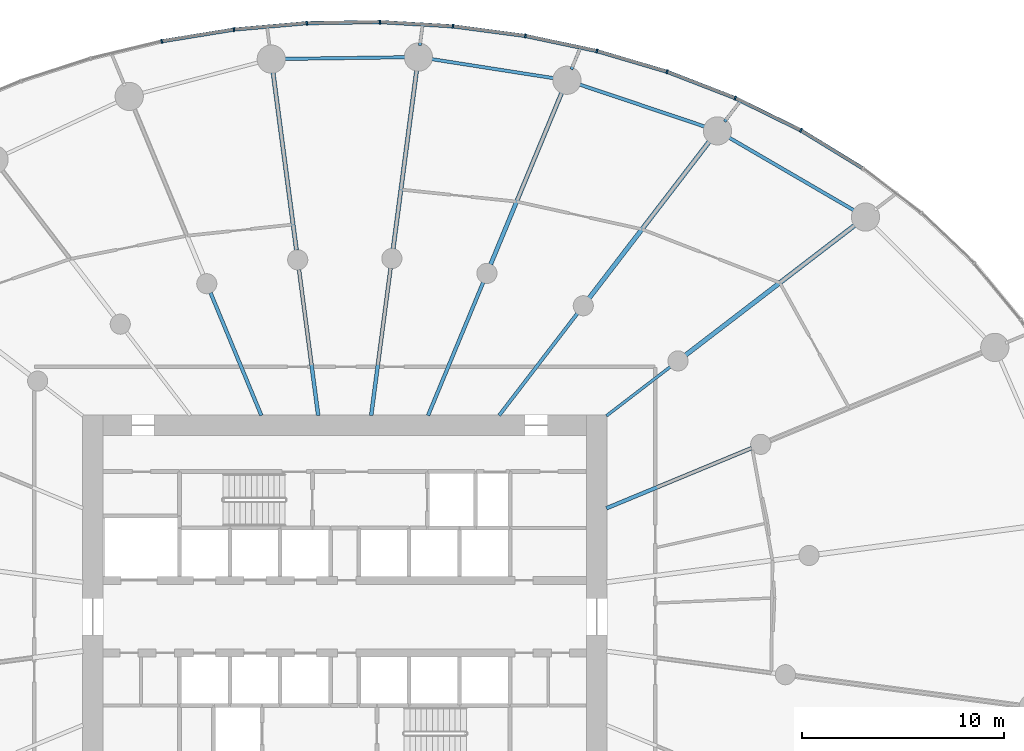
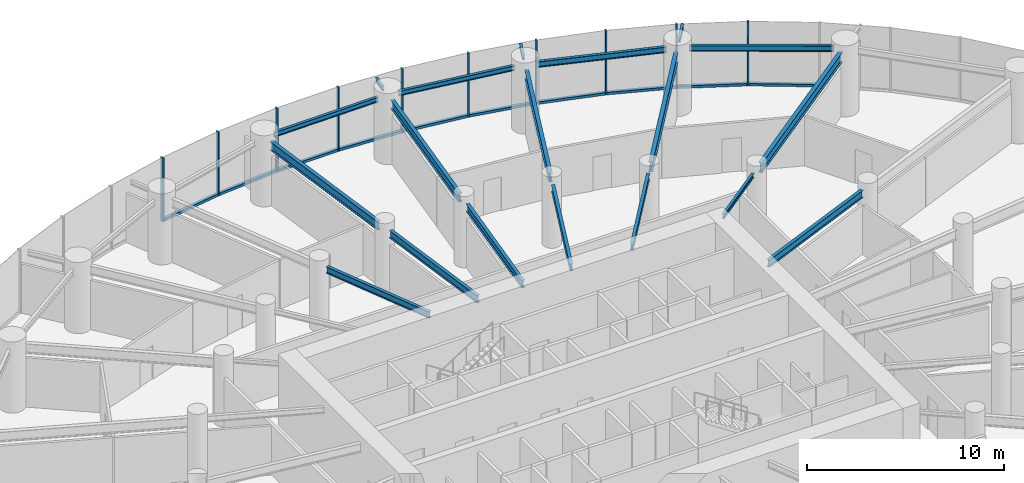
# One storey, part 7 of 19: 20 members, 19 beams, 2 elements without a shape of their own.
"""IFC4 building model written with IfcOpenShell, lengths in metres."""

import ifcopenshell
import ifcopenshell.guid

model = None  # the IFC model being written
_history = None  # IfcOwnerHistory: only IFC2X3 demands one
_inside = {}  # id of a spatial element -> (the spatial element, [elements in it])
_under = {}  # id of a project, library or spatial element -> (it, [spatial elements below it])
_declared = {}  # id of a project -> (the project, [libraries it declares])
_typed = {}  # id of a type object -> (the type object, [elements of that type])
_made_of = {}  # id of a material, layer set ... -> (it, [elements and type objects made of it])


def new_model(schema):
    """Start an empty IFC model of exactly this schema.

    Asked for "IFC4X3", IfcOpenShell would pick the latest addendum, in which some entities
    have other attributes; the version numbers below select the first issue.
    IFC2X3 requires an IfcOwnerHistory on every rooted entity: one is made here for all.
    """
    global model, _history
    if schema == "IFC4X3":
        model = ifcopenshell.file(schema_version=(4, 3, 0, 0))
    else:
        model = ifcopenshell.file(schema=schema)
    _inside.clear()
    _under.clear()
    _declared.clear()
    _typed.clear()
    _made_of.clear()
    _history = None
    if model.schema == "IFC2X3":
        org = make("IfcOrganization", Name="unknown")
        user = make(
            "IfcPersonAndOrganization",
            ThePerson=make("IfcPerson", FamilyName="unknown"),
            TheOrganization=org,
        )
        app = make(
            "IfcApplication",
            ApplicationDeveloper=org,
            Version="unknown",
            ApplicationFullName="unknown",
            ApplicationIdentifier="unknown",
        )
        _history = make(
            "IfcOwnerHistory",
            OwningUser=user,
            OwningApplication=app,
            ChangeAction="ADDED",
            CreationDate=0,
        )
    return model


def make(cls, **values):
    """One entity of the class cls with the attributes given. An attribute that is None is left unset."""
    return model.create_entity(
        cls, **{name: value for name, value in values.items() if value is not None}
    )


def rooted(cls, **values):
    """An entity with a GlobalId (a new one), such as an element, a storey or a relation."""
    return make(cls, GlobalId=ifcopenshell.guid.new(), OwnerHistory=_history, **values)


def si_unit(unit_type, name, prefix=None):
    """IfcSIUnit, for example si_unit("LENGTHUNIT", "METRE", prefix="MILLI")."""
    return make("IfcSIUnit", UnitType=unit_type, Prefix=prefix, Name=name)


def assignment(units):
    """IfcUnitAssignment: the units of a project."""
    return None if units is None else make("IfcUnitAssignment", Units=units)


def point(xyz):
    """IfcCartesianPoint."""
    return None if xyz is None else make("IfcCartesianPoint", Coordinates=xyz)


def direction(xyz):
    """IfcDirection."""
    return None if xyz is None else make("IfcDirection", DirectionRatios=xyz)


def frame(location, z_axis=None, x_axis=None):
    """IfcAxis2Placement3D, a coordinate frame: its origin and axes. An axis left out is left unset."""
    return make(
        "IfcAxis2Placement3D",
        Location=point(location),
        Axis=direction(z_axis),
        RefDirection=direction(x_axis),
    )


def frame_2d(location, x_axis=None):
    """IfcAxis2Placement2D, a coordinate frame in the plane: its origin and x axis."""
    return make(
        "IfcAxis2Placement2D", Location=point(location), RefDirection=direction(x_axis)
    )


def origin():
    """The frame at (0, 0, 0) with its axes left unset."""
    return frame((0.0, 0.0, 0.0))


def origin_2d():
    """The frame at (0, 0) in the plane with its x axis left unset."""
    return frame_2d((0.0, 0.0))


def place(relative_to, where):
    """IfcLocalPlacement: puts the frame where relative to a parent placement (None: the world)."""
    return make(
        "IfcLocalPlacement", PlacementRelTo=relative_to, RelativePlacement=where
    )


def context(
    kind, dimensions, precision=None, world=None, true_north=None, identifier=None
):
    """IfcGeometricRepresentationContext, for example the 3D "Model" context."""
    return make(
        "IfcGeometricRepresentationContext",
        ContextIdentifier=identifier,
        ContextType=kind,
        CoordinateSpaceDimension=dimensions,
        Precision=precision,
        WorldCoordinateSystem=world,
        TrueNorth=true_north,
    )


def subcontext(parent, identifier, kind, view, scale=None):
    """IfcGeometricRepresentationSubContext, for example "Body" below "Model"."""
    return make(
        "IfcGeometricRepresentationSubContext",
        ContextIdentifier=identifier,
        ContextType=kind,
        ParentContext=parent,
        TargetScale=scale,
        TargetView=view,
    )


def project(units=None, contexts=None):
    """IfcProject with its units and contexts."""
    return rooted(
        "IfcProject",
        Name="project",
        RepresentationContexts=contexts,
        UnitsInContext=assignment(units),
    )


def spatial(cls, under=None, at=None, **own):
    """A site, building, storey or space (cls), placed at a placement, below another one or the project."""
    s = rooted(cls, ObjectPlacement=at, **own)
    if under is not None:
        _under.setdefault(under.id(), (under, []))[1].append(s)
    return s


def profile(cls, at=None, kind="AREA", **sizes):
    """A parametric profile (cls). Its sizes go by their IFC names, for example OverallWidth=200.0."""
    return make(cls, ProfileType=kind, Position=at, **sizes)


def rectangle(**sizes):
    """IfcRectangleProfileDef."""
    return profile("IfcRectangleProfileDef", **sizes)


def i_section(**sizes):
    """IfcIShapeProfileDef."""
    return profile("IfcIShapeProfileDef", **sizes)


def extrude(swept, where, along, depth):
    """IfcExtrudedAreaSolid: the profile swept, set in the frame where, extruded along a direction by depth."""
    return make(
        "IfcExtrudedAreaSolid",
        SweptArea=swept,
        Position=where,
        ExtrudedDirection=direction(along),
        Depth=depth,
    )


def shape(context_of_items, identifier, shape_type, items):
    """IfcShapeRepresentation: the items that make up one representation, for example the "Body"."""
    return make(
        "IfcShapeRepresentation",
        ContextOfItems=context_of_items,
        RepresentationIdentifier=identifier,
        RepresentationType=shape_type,
        Items=items,
    )


def source(mapping_origin, context_of_items, identifier, shape_type, items):
    """IfcRepresentationMap: a shape defined once, which mapped items show again and again."""
    return make(
        "IfcRepresentationMap",
        MappingOrigin=mapping_origin,
        MappedRepresentation=shape(context_of_items, identifier, shape_type, items),
    )


def transform(
    local_origin,
    x_axis=None,
    y_axis=None,
    z_axis=None,
    scale=None,
    scale2=None,
    scale3=None,
    uniform=True,
):
    """IfcCartesianTransformationOperator3D, or its non-uniform kind. x_axis, y_axis, z_axis: its Axis1, 2, 3."""
    if uniform:
        return make(
            "IfcCartesianTransformationOperator3D",
            Axis1=direction(x_axis),
            Axis2=direction(y_axis),
            LocalOrigin=point(local_origin),
            Scale=scale,
            Axis3=direction(z_axis),
        )
    return make(
        "IfcCartesianTransformationOperator3DnonUniform",
        Axis1=direction(x_axis),
        Axis2=direction(y_axis),
        LocalOrigin=point(local_origin),
        Scale=scale,
        Axis3=direction(z_axis),
        Scale2=scale2,
        Scale3=scale3,
    )


def mapped(mapping_source, mapping_target):
    """IfcMappedItem: shows the shape of a source again, moved by a transform."""
    return make(
        "IfcMappedItem", MappingSource=mapping_source, MappingTarget=mapping_target
    )


def material(Name=None, Category=None):
    """IfcMaterial."""
    return make("IfcMaterial", Name=Name, Category=Category)


def layer(
    of_material, thickness, ventilated=None, Name=None, Category=None, Priority=None
):
    """IfcMaterialLayer: one layer of a wall or slab, of a material (None: an air gap)."""
    return make(
        "IfcMaterialLayer",
        Material=of_material,
        LayerThickness=thickness,
        IsVentilated=ventilated,
        Name=Name,
        Category=Category,
        Priority=Priority,
    )


def layer_set(layers, Name=None):
    """IfcMaterialLayerSet."""
    return make("IfcMaterialLayerSet", MaterialLayers=layers, LayerSetName=Name)


def material_profile(
    of_material, cross_section, Name=None, Category=None, Priority=None
):
    """IfcMaterialProfile: a cross section and its material."""
    return make(
        "IfcMaterialProfile",
        Name=Name,
        Material=of_material,
        Profile=cross_section,
        Priority=Priority,
        Category=Category,
    )


def profile_set(profiles, Name=None, composite=None):
    """IfcMaterialProfileSet."""
    return make(
        "IfcMaterialProfileSet",
        Name=Name,
        MaterialProfiles=profiles,
        CompositeProfile=composite,
    )


def made_of(thing, what):
    """Note that an element or type object is made of a material, layer set ...; save() writes the relation."""
    if what is not None:
        _made_of.setdefault(what.id(), (what, []))[1].append(thing)
    return thing


def type_object(cls, material=None, **own):
    """A type object (cls), such as IfcWallType, which elements share."""
    return made_of(rooted(cls, **own), material)


def element(
    cls,
    number,
    at=None,
    inside=None,
    cuts=None,
    type_object=None,
    material=None,
    context=None,
    identifier="Body",
    shape_type=None,
    held_by="IfcProductDefinitionShape",
    body=None,
    shapes=None,
    **own,
):
    """One element of the class cls, such as IfcWall. Its Tag is "e" and its number.

    at: its placement. inside: the storey or other place that contains it. cuts: it is an
    opening in that element (IfcRelVoidsElement). A single representation is given by context,
    identifier, shape_type and body (its items); several are given by shapes. held_by: the class
    of the entity that holds the representations. save() writes the other relations.
    """
    e = rooted(cls, Tag="e%d" % number, ObjectPlacement=at, **own)
    if body is not None:
        shapes = [shape(context, identifier, shape_type, body)]
    if shapes is not None:
        e.Representation = make(held_by, Representations=shapes)
    if inside is not None:
        _inside.setdefault(inside.id(), (inside, []))[1].append(e)
    if cuts is not None:
        rooted(
            "IfcRelVoidsElement", RelatingBuildingElement=cuts, RelatedOpeningElement=e
        )
    if type_object is not None:
        _typed.setdefault(type_object.id(), (type_object, []))[1].append(e)
    return made_of(e, material)


def aggregate(whole, parts):
    """IfcRelAggregates: a whole, such as a stair, and the parts it consists of."""
    return rooted("IfcRelAggregates", RelatingObject=whole, RelatedObjects=parts)


def save(model, path):
    """Write the relations noted so far, then the file.

    IfcRelAggregates (storeys below a building ...), IfcRelContainedInSpatialStructure (elements
    in a storey), IfcRelDefinesByType, IfcRelAssociatesMaterial and IfcRelDeclares: one each for
    every whole, place, type object, material and project.
    """
    for whole, parts in _under.values():
        aggregate(whole, parts)
    for where, things in _inside.values():
        rooted(
            "IfcRelContainedInSpatialStructure",
            RelatedElements=things,
            RelatingStructure=where,
        )
    for kind, things in _typed.values():
        rooted("IfcRelDefinesByType", RelatedObjects=things, RelatingType=kind)
    for what, things in _made_of.values():
        rooted("IfcRelAssociatesMaterial", RelatedObjects=things, RelatingMaterial=what)
    for by, libraries in _declared.values():
        rooted("IfcRelDeclares", RelatingContext=by, RelatedDefinitions=libraries)
    model.write(path)


model = new_model("IFC4")

# Units and contexts
model_context = context("Model", 3, precision=1e-05, world=origin(), true_north=direction((0.0, 1.0)))
body_context = subcontext(model_context, "Body", "Model", "MODEL_VIEW")
ifc_project = project(units=[si_unit("LENGTHUNIT", "METRE"), si_unit("AREAUNIT", "SQUARE_METRE"), si_unit("VOLUMEUNIT", "CUBIC_METRE"), si_unit("PLANEANGLEUNIT", "RADIAN"), si_unit("MASSUNIT", "GRAM", prefix="KILO")], contexts=[model_context])

# Site, building, storey
site_placement = place(None, origin())
site = spatial("IfcSite", under=ifc_project, at=site_placement, CompositionType="ELEMENT")
building_placement = place(site_placement, origin())
building = spatial("IfcBuilding", under=site, at=building_placement, Name="Spindrift Exchange Tower", CompositionType="ELEMENT")
storey_placement = place(building_placement, frame((0.0, 0.0, 27.0)))
storey = spatial("IfcBuildingStorey", under=building, at=storey_placement, Name="L06", CompositionType="ELEMENT", Elevation=27.0)

# Beams
ifc_material_1 = material(Name="Steel Grade 300", Category="steel")
ifc_material_profile_1 = material_profile(ifc_material_1, i_section(OverallWidth=0.18994140625, OverallDepth=0.45703125, WebThickness=0.009033203125, FlangeThickness=0.014404296875, FilletRadius=0.013916015625, at=origin_2d()), Name="460UB74.6")
ifc_profile_set_1 = profile_set([ifc_material_profile_1], Name="Steel Grade 300")
beam_type_1 = type_object("IfcBeamType", Name="Floor Beam 460UB74.6 Steel Grade 300", PredefinedType="BEAM", material=ifc_profile_set_1)
shared_shape_1 = source(origin(), body_context, "Body", "SweptSolid", [
    extrude(i_section(OverallWidth=0.18994140625, OverallDepth=0.45703125, WebThickness=0.009033203125, FlangeThickness=0.014404296875, FilletRadius=0.013916015625, at=origin_2d()), origin(), (0.0, 0.0, 1.0), 7.808837890625),
])
beam_1_placement = place(storey_placement, frame((64.9814453125, 53.377197265625, 3.721435546875), z_axis=(0.92387965154, 0.382683145003, 0.0), x_axis=(-0.382683145003, 0.92387965154, 0.0)))
element("IfcBeam", 1, at=beam_1_placement, inside=storey, type_object=beam_type_1, Name="L06 radial beam R02A", PredefinedType="BEAM", context=body_context, shape_type="MappedRepresentation", body=[
    mapped(shared_shape_1, transform((0.0, 0.0, 0.0), scale=1.0)),
])
ifc_material_profile_2 = material_profile(ifc_material_1, i_section(OverallWidth=0.14599609375, OverallDepth=0.251953125, WebThickness=0.006103515625, FlangeThickness=0.008544921875, FilletRadius=0.011962890625, at=origin_2d()), Name="250UB31.4")
ifc_profile_set_2 = profile_set([ifc_material_profile_2], Name="Steel Grade 300")
beam_type_2 = type_object("IfcBeamType", Name="Floor Beam 250UB31.4 Steel Grade 300", PredefinedType="BEAM", material=ifc_profile_set_2)
shared_shape_2 = source(origin(), body_context, "Body", "SweptSolid", [
    extrude(i_section(OverallWidth=0.14599609375, OverallDepth=0.251953125, WebThickness=0.006103515625, FlangeThickness=0.008544921875, FilletRadius=0.011962890625, at=origin_2d()), origin(), (0.0, 0.0, 1.0), 3.99560546875),
])
beam_2_placement = place(storey_placement, frame((64.984130859375, 57.963134765625, 3.823974609375), z_axis=(0.793352561574, 0.608762443851, 0.0), x_axis=(-0.608762443851, 0.793352561574, 0.0)))
element("IfcBeam", 2, at=beam_2_placement, inside=storey, type_object=beam_type_2, Name="L06 radial beam R03A", PredefinedType="BEAM", context=body_context, shape_type="MappedRepresentation", body=[
    mapped(shared_shape_2, transform((0.0, 0.0, 0.0), scale=1.0)),
])
ifc_material_profile_3 = material_profile(ifc_material_1, i_section(OverallWidth=0.22802734375, OverallDepth=0.60693359375, WebThickness=0.01123046875, FlangeThickness=0.017333984375, FilletRadius=0.013916015625, at=origin_2d()), Name="610UB113")
ifc_profile_set_3 = profile_set([ifc_material_profile_3], Name="Steel Grade 300")
beam_type_3 = type_object("IfcBeamType", Name="Floor Beam 610UB113 Steel Grade 300", PredefinedType="BEAM", material=ifc_profile_set_3)
shared_shape_3 = source(origin(), body_context, "Body", "SweptSolid", [
    extrude(i_section(OverallWidth=0.22802734375, OverallDepth=0.60693359375, WebThickness=0.01123046875, FlangeThickness=0.017333984375, FilletRadius=0.013916015625, at=origin_2d()), origin(), (0.0, 0.0, 1.0), 10.66357421875),
])
beam_3_placement = place(storey_placement, frame((68.91552734375, 60.979736328125, 3.646484375), z_axis=(0.793357926757, 0.608755451764, 0.0), x_axis=(-0.608755451764, 0.793357926757, 0.0)))
element("IfcBeam", 3, at=beam_3_placement, inside=storey, type_object=beam_type_3, Name="L06 radial beam R03B", PredefinedType="BEAM", context=body_context, shape_type="MappedRepresentation", body=[
    mapped(shared_shape_3, transform((0.0, 0.0, 0.0), scale=1.0)),
])
ifc_material_profile_4 = material_profile(ifc_material_1, i_section(OverallWidth=0.172119140625, OverallDepth=0.35888671875, WebThickness=0.008056640625, FlangeThickness=0.012939453125, FilletRadius=0.013916015625, at=origin_2d()), Name="360UB56.7")
ifc_profile_set_4 = profile_set([ifc_material_profile_4], Name="Steel Grade 300")
beam_type_4 = type_object("IfcBeamType", Name="Floor Beam 360UB56.7 Steel Grade 300", PredefinedType="BEAM", material=ifc_profile_set_4)
shared_shape_4 = source(origin(), body_context, "Body", "SweptSolid", [
    extrude(i_section(OverallWidth=0.172119140625, OverallDepth=0.35888671875, WebThickness=0.008056640625, FlangeThickness=0.012939453125, FilletRadius=0.013916015625, at=origin_2d()), origin(), (0.0, 0.0, 1.0), 6.37646484375),
])
beam_4_placement = place(storey_placement, frame((59.6611328125, 57.984130859375, 3.7705078125), z_axis=(0.608766669952, 0.793349318747, 0.0), x_axis=(-0.793349318747, 0.608766669952, 0.0)))
element("IfcBeam", 4, at=beam_4_placement, inside=storey, type_object=beam_type_4, Name="L06 radial beam R04A", PredefinedType="BEAM", context=body_context, shape_type="MappedRepresentation", body=[
    mapped(shared_shape_4, transform((0.0, 0.0, 0.0), scale=1.0)),
])
shared_shape_5 = source(origin(), body_context, "Body", "SweptSolid", [
    extrude(i_section(OverallWidth=0.22802734375, OverallDepth=0.60693359375, WebThickness=0.01123046875, FlangeThickness=0.017333984375, FilletRadius=0.013916015625, at=origin_2d()), origin(), (0.0, 0.0, 1.0), 9.87548828125),
])
beam_5_placement = place(storey_placement, frame((64.127197265625, 63.8046875, 3.646484375), z_axis=(0.608772470836, 0.793344867477, 0.0), x_axis=(-0.793344867477, 0.608772470836, 0.0)))
element("IfcBeam", 5, at=beam_5_placement, inside=storey, type_object=beam_type_3, Name="L06 radial beam R04B", PredefinedType="BEAM", context=body_context, shape_type="MappedRepresentation", body=[
    mapped(shared_shape_5, transform((0.0, 0.0, 0.0), scale=1.0)),
])
ifc_material_profile_5 = material_profile(ifc_material_1, i_section(OverallWidth=0.177978515625, OverallDepth=0.406005859375, WebThickness=0.0078125, FlangeThickness=0.0126953125, FilletRadius=0.013916015625, at=origin_2d()), Name="410UB59.7")
ifc_profile_set_5 = profile_set([ifc_material_profile_5], Name="Steel Grade 300")
beam_type_5 = type_object("IfcBeamType", Name="Floor Beam 410UB59.7 Steel Grade 300", PredefinedType="BEAM", material=ifc_profile_set_5)
shared_shape_6 = source(origin(), body_context, "Body", "SweptSolid", [
    extrude(i_section(OverallWidth=0.177978515625, OverallDepth=0.406005859375, WebThickness=0.0078125, FlangeThickness=0.0126953125, FilletRadius=0.013916015625, at=origin_2d()), origin(), (0.0, 0.0, 1.0), 7.150634765625),
])
beam_6_placement = place(storey_placement, frame((56.134521484375, 57.9814453125, 3.7470703125), z_axis=(0.382665393358, 0.923887004306, 0.0), x_axis=(-0.923887004306, 0.382665393358, 0.0)))
element("IfcBeam", 6, at=beam_6_placement, inside=storey, type_object=beam_type_5, Name="L06 radial beam R05A", PredefinedType="BEAM", context=body_context, shape_type="MappedRepresentation", body=[
    mapped(shared_shape_6, transform((0.0, 0.0, 0.0), scale=1.0)),
])
ifc_material_profile_6 = material_profile(ifc_material_1, i_section(OverallWidth=0.208984375, OverallDepth=0.532958984375, WebThickness=0.01025390625, FlangeThickness=0.015625, FilletRadius=0.013916015625, at=origin_2d()), Name="530UB92.4")
ifc_profile_set_6 = profile_set([ifc_material_profile_6], Name="Steel Grade 300")
beam_type_6 = type_object("IfcBeamType", Name="Floor Beam 530UB92.4 Steel Grade 300", PredefinedType="BEAM", material=ifc_profile_set_6)
shared_shape_7 = source(origin(), body_context, "Body", "SweptSolid", [
    extrude(i_section(OverallWidth=0.208984375, OverallDepth=0.532958984375, WebThickness=0.01025390625, FlangeThickness=0.015625, FilletRadius=0.013916015625, at=origin_2d()), origin(), (0.0, 0.0, 1.0), 9.309326171875),
])
beam_7_placement = place(storey_placement, frame((59.23828125, 65.474853515625, 3.68359375), z_axis=(0.382685326691, 0.923878747853, 0.0), x_axis=(-0.923878747853, 0.382685326691, 0.0)))
element("IfcBeam", 7, at=beam_7_placement, inside=storey, type_object=beam_type_6, Name="L06 radial beam R05B", PredefinedType="BEAM", context=body_context, shape_type="MappedRepresentation", body=[
    mapped(shared_shape_7, transform((0.0, 0.0, 0.0), scale=1.0)),
])
shared_shape_8 = source(origin(), body_context, "Body", "SweptSolid", [
    extrude(i_section(OverallWidth=0.18994140625, OverallDepth=0.45703125, WebThickness=0.009033203125, FlangeThickness=0.014404296875, FilletRadius=0.013916015625, at=origin_2d()), origin(), (0.0, 0.0, 1.0), 7.374267578125),
])
beam_8_placement = place(storey_placement, frame((53.31396484375, 57.980224609375, 3.721435546875), z_axis=(0.130539295622, 0.99144313619, 0.0), x_axis=(-0.99144313619, 0.130539295622, 0.0)))
element("IfcBeam", 8, at=beam_8_placement, inside=storey, type_object=beam_type_1, Name="L06 radial beam R06A", PredefinedType="BEAM", context=body_context, shape_type="MappedRepresentation", body=[
    mapped(shared_shape_8, transform((0.0, 0.0, 0.0), scale=1.0)),
])
shared_shape_9 = source(origin(), body_context, "Body", "SweptSolid", [
    extrude(i_section(OverallWidth=0.208984375, OverallDepth=0.532958984375, WebThickness=0.01025390625, FlangeThickness=0.015625, FilletRadius=0.013916015625, at=origin_2d()), origin(), (0.0, 0.0, 1.0), 9.020263671875),
])
beam_9_placement = place(storey_placement, frame((54.40185546875, 66.2431640625, 3.68359375), z_axis=(0.13051122338, 0.991446831944, 0.0), x_axis=(-0.991446831944, 0.13051122338, 0.0)))
element("IfcBeam", 9, at=beam_9_placement, inside=storey, type_object=beam_type_6, Name="L06 radial beam R06B", PredefinedType="BEAM", context=body_context, shape_type="MappedRepresentation", body=[
    mapped(shared_shape_9, transform((0.0, 0.0, 0.0), scale=1.0)),
])
shared_shape_10 = source(origin(), body_context, "Body", "SweptSolid", [
    extrude(i_section(OverallWidth=0.18994140625, OverallDepth=0.45703125, WebThickness=0.009033203125, FlangeThickness=0.014404296875, FilletRadius=0.013916015625, at=origin_2d()), origin(), (0.0, 0.0, 1.0), 7.3095703125),
])
beam_10_placement = place(storey_placement, frame((50.68603515625, 57.980224609375, 3.721435546875), z_axis=(-0.130527087244, 0.991444743541, 0.0), x_axis=(-0.991444743541, -0.130527087244, 0.0)))
element("IfcBeam", 10, at=beam_10_placement, inside=storey, type_object=beam_type_1, Name="L06 radial beam R07A", PredefinedType="BEAM", context=body_context, shape_type="MappedRepresentation", body=[
    mapped(shared_shape_10, transform((0.0, 0.0, 0.0), scale=1.0)),
])
shared_shape_11 = source(origin(), body_context, "Body", "SweptSolid", [
    extrude(i_section(OverallWidth=0.208984375, OverallDepth=0.532958984375, WebThickness=0.01025390625, FlangeThickness=0.015625, FilletRadius=0.013916015625, at=origin_2d()), origin(), (0.0, 0.0, 1.0), 8.98388671875),
])
beam_11_placement = place(storey_placement, frame((49.606689453125, 66.17919921875, 3.68359375), z_axis=(-0.130524106785, 0.991445135924, 0.0), x_axis=(-0.991445135924, -0.130524106785, 0.0)))
element("IfcBeam", 11, at=beam_11_placement, inside=storey, type_object=beam_type_6, Name="L06 radial beam R07B", PredefinedType="BEAM", context=body_context, shape_type="MappedRepresentation", body=[
    mapped(shared_shape_11, transform((0.0, 0.0, 0.0), scale=1.0)),
])
shared_shape_12 = source(origin(), body_context, "Body", "SweptSolid", [
    extrude(i_section(OverallWidth=0.177978515625, OverallDepth=0.406005859375, WebThickness=0.0078125, FlangeThickness=0.0126953125, FilletRadius=0.013916015625, at=origin_2d()), origin(), (0.0, 0.0, 1.0), 6.594482421875),
])
beam_12_placement = place(storey_placement, frame((47.865478515625, 57.9814453125, 3.7470703125), z_axis=(-0.382692929746, 0.92387559851, 0.0), x_axis=(-0.92387559851, -0.382692929746, 0.0)))
element("IfcBeam", 12, at=beam_12_placement, inside=storey, type_object=beam_type_5, Name="L06 radial beam R08A", PredefinedType="BEAM", context=body_context, shape_type="MappedRepresentation", body=[
    mapped(shared_shape_12, transform((0.0, 0.0, 0.0), scale=1.0)),
])
ifc_material_profile_7 = material_profile(ifc_material_1, i_section(OverallWidth=0.172119140625, OverallDepth=0.35888671875, WebThickness=0.008056640625, FlangeThickness=0.012939453125, FilletRadius=0.013916015625, at=origin_2d()), Name="360UB56.7")
ifc_profile_set_7 = profile_set([ifc_material_profile_7], Name="Steel Grade 300")
beam_type_7 = type_object("IfcBeamType", Name="Edge Beam 360UB56.7 Steel Grade 300", PredefinedType="SPANDREL", material=ifc_profile_set_7)
shared_shape_13 = source(origin(), body_context, "Body", "SweptSolid", [
    extrude(i_section(OverallWidth=0.172119140625, OverallDepth=0.35888671875, WebThickness=0.008056640625, FlangeThickness=0.012939453125, FilletRadius=0.013916015625, at=origin_2d()), origin(), (0.0, 0.0, 1.0), 7.33740234375),
])
beam_13_placement = place(storey_placement, frame((77.33447265625, 68.1162109375, 3.7705078125), z_axis=(-0.864211826308, 0.503128134047, 0.0), x_axis=(-0.503128134047, -0.864211826308, 0.0)))
element("IfcBeam", 13, at=beam_13_placement, inside=storey, type_object=beam_type_7, Name="L06 edge beam E03", PredefinedType="SPANDREL", context=body_context, shape_type="MappedRepresentation", body=[
    mapped(shared_shape_13, transform((0.0, 0.0, 0.0), scale=1.0)),
])
shared_shape_14 = source(origin(), body_context, "Body", "SweptSolid", [
    extrude(i_section(OverallWidth=0.172119140625, OverallDepth=0.35888671875, WebThickness=0.008056640625, FlangeThickness=0.012939453125, FilletRadius=0.013916015625, at=origin_2d()), origin(), (0.0, 0.0, 1.0), 6.72021484375),
])
beam_14_placement = place(storey_placement, frame((69.9423828125, 72.28466796875, 3.7705078125), z_axis=(-0.947851749681, 0.318711563372, 0.0), x_axis=(-0.318711563372, -0.947851749681, 0.0)))
element("IfcBeam", 14, at=beam_14_placement, inside=storey, type_object=beam_type_7, Name="L06 edge beam E04", PredefinedType="SPANDREL", context=body_context, shape_type="MappedRepresentation", body=[
    mapped(shared_shape_14, transform((0.0, 0.0, 0.0), scale=1.0)),
])
ifc_material_profile_8 = material_profile(ifc_material_1, i_section(OverallWidth=0.1650390625, OverallDepth=0.303955078125, WebThickness=0.006103515625, FlangeThickness=0.01025390625, FilletRadius=0.011474609375, at=origin_2d()), Name="310UB40.4")
ifc_profile_set_8 = profile_set([ifc_material_profile_8], Name="Steel Grade 300")
beam_type_8 = type_object("IfcBeamType", Name="Edge Beam 310UB40.4 Steel Grade 300", PredefinedType="SPANDREL", material=ifc_profile_set_8)
shared_shape_15 = source(origin(), body_context, "Body", "SweptSolid", [
    extrude(i_section(OverallWidth=0.1650390625, OverallDepth=0.303955078125, WebThickness=0.006103515625, FlangeThickness=0.01025390625, FilletRadius=0.011474609375, at=origin_2d()), origin(), (0.0, 0.0, 1.0), 6.297119140625),
])
beam_15_placement = place(storey_placement, frame((62.44970703125, 74.70068359375, 3.798095703125), z_axis=(-0.98802902915, 0.154268070436, 0.0), x_axis=(-0.154268070436, -0.98802902915, 0.0)))
element("IfcBeam", 15, at=beam_15_placement, inside=storey, type_object=beam_type_8, Name="L06 edge beam E05", PredefinedType="SPANDREL", context=body_context, shape_type="MappedRepresentation", body=[
    mapped(shared_shape_15, transform((0.0, 0.0, 0.0), scale=1.0)),
])
shared_shape_16 = source(origin(), body_context, "Body", "SweptSolid", [
    extrude(i_section(OverallWidth=0.1650390625, OverallDepth=0.303955078125, WebThickness=0.006103515625, FlangeThickness=0.01025390625, FilletRadius=0.011474609375, at=origin_2d()), origin(), (0.0, 0.0, 1.0), 6.13720703125),
])
beam_16_placement = place(storey_placement, frame((55.074951171875, 75.75341796875, 3.798095703125), z_axis=(-0.999905820907, -0.013724041543, 0.0), x_axis=(0.013724041543, -0.999905820907, 0.0)))
element("IfcBeam", 16, at=beam_16_placement, inside=storey, type_object=beam_type_8, Name="L06 edge beam E06", PredefinedType="SPANDREL", context=body_context, shape_type="MappedRepresentation", body=[
    mapped(shared_shape_16, transform((0.0, 0.0, 0.0), scale=1.0)),
])
ifc_material_profile_9 = material_profile(ifc_material_1, i_section(OverallWidth=0.14599609375, OverallDepth=0.251953125, WebThickness=0.006103515625, FlangeThickness=0.008544921875, FilletRadius=0.011962890625, at=origin_2d()), Name="250UB31.4")
ifc_profile_set_9 = profile_set([ifc_material_profile_9], Name="Steel Grade 300")
beam_type_9 = type_object("IfcBeamType", Name="Cantilever Beam 250UB31.4 Steel Grade 300", PredefinedType="BEAM", material=ifc_profile_set_9)
shared_shape_17 = source(origin(), body_context, "Body", "SweptSolid", [
    extrude(i_section(OverallWidth=0.14599609375, OverallDepth=0.251953125, WebThickness=0.006103515625, FlangeThickness=0.008544921875, FilletRadius=0.011962890625, at=origin_2d()), origin(), (0.0, 0.0, 1.0), 1.34521484375),
])
beam_17_placement = place(storey_placement, frame((70.845458984375, 72.559814453125, 3.823974609375), z_axis=(0.608762998157, 0.793352136239, 0.0), x_axis=(-0.793352136239, 0.608762998157, 0.0)))
element("IfcBeam", 17, at=beam_17_placement, inside=storey, type_object=beam_type_9, Name="L06 cantilever beam R04T", PredefinedType="BEAM", context=body_context, shape_type="MappedRepresentation", body=[
    mapped(shared_shape_17, transform((0.0, 0.0, 0.0), scale=1.0)),
])
shared_shape_18 = source(origin(), body_context, "Body", "SweptSolid", [
    extrude(i_section(OverallWidth=0.14599609375, OverallDepth=0.251953125, WebThickness=0.006103515625, FlangeThickness=0.008544921875, FilletRadius=0.011962890625, at=origin_2d()), origin(), (0.0, 0.0, 1.0), 1.142578125),
])
beam_18_placement = place(storey_placement, frame((63.244873046875, 75.147216796875, 3.823974609375), z_axis=(0.382490193419, 0.923959551029, 0.0), x_axis=(-0.923959551029, 0.382490193419, 0.0)))
element("IfcBeam", 18, at=beam_18_placement, inside=storey, type_object=beam_type_9, Name="L06 cantilever beam R05T", PredefinedType="BEAM", context=body_context, shape_type="MappedRepresentation", body=[
    mapped(shared_shape_18, transform((0.0, 0.0, 0.0), scale=1.0)),
])
shared_shape_19 = source(origin(), body_context, "Body", "SweptSolid", [
    extrude(i_section(OverallWidth=0.14599609375, OverallDepth=0.251953125, WebThickness=0.006103515625, FlangeThickness=0.008544921875, FilletRadius=0.011962890625, at=origin_2d()), origin(), (0.0, 0.0, 1.0), 0.921875),
])
beam_19_placement = place(storey_placement, frame((55.730712890625, 76.33642578125, 3.823974609375), z_axis=(0.130290104131, 0.991475914365, 0.0), x_axis=(-0.991475914365, 0.130290104131, 0.0)))
element("IfcBeam", 19, at=beam_19_placement, inside=storey, type_object=beam_type_9, Name="L06 cantilever beam R06T", PredefinedType="BEAM", context=body_context, shape_type="MappedRepresentation", body=[
    mapped(shared_shape_19, transform((0.0, 0.0, 0.0), scale=1.0)),
])

# Curtain wall, members
ifc_material_2 = material(Name="Fritted laminated glass with bronze frame", Category="glass")
ifc_layer = layer(ifc_material_2, 0.199951171875)
ifc_layer_set = layer_set([ifc_layer], Name="ZONE 1 BRONZE FRITTED WALL")
curtain_wall_type = type_object("IfcCurtainWallType", Name="ZONE 1 BRONZE FRITTED WALL", PredefinedType="NOTDEFINED", material=ifc_layer_set)
curtain_wall_1_placement = place(storey_placement, origin())
curtain_wall_1 = element("IfcCurtainWall", 20, at=curtain_wall_1_placement, inside=storey, type_object=curtain_wall_type, Name="L06 Zone 1 Bronze Fritted Wall run 2", PredefinedType="NOTDEFINED")
ifc_material_3 = material(Name="Bronze anodised aluminium", Category="aluminium")
ifc_material_profile_10 = material_profile(ifc_material_3, rectangle(XDim=0.080078125, YDim=0.199951171875, at=origin_2d()), Name="ZONE 1 BRONZE FRITTED WALL MULLION 80X200")
ifc_profile_set_10 = profile_set([ifc_material_profile_10], Name="Bronze anodised aluminium")
member_type_1 = type_object("IfcMemberType", Name="ZONE 1 BRONZE FRITTED WALL MULLION 80X200", PredefinedType="MULLION", material=ifc_profile_set_10)
shared_shape_20 = source(origin(), body_context, "Body", "SweptSolid", [
    extrude(rectangle(XDim=0.080078125, YDim=0.199951171875, at=origin_2d()), origin(), (0.0, 0.0, 1.0), 3.949951171875),
])
member_1_placement = place(storey_placement, frame((74.628173828125, 72.12548828125, 0.0), z_axis=(0.0, 0.0, 1.0), x_axis=(-0.87600355816, 0.482304640337, 0.0)))
member_1 = element("IfcMember", 21, at=member_1_placement, type_object=member_type_1, Name="L06 mullion CW-1.9", PredefinedType="MULLION", context=body_context, shape_type="MappedRepresentation", body=[
    mapped(shared_shape_20, transform((0.0, 0.0, 0.0), scale=1.0)),
])
member_2_placement = place(storey_placement, frame((71.372802734375, 73.724609375, 0.0), z_axis=(0.0, 0.0, 1.0), x_axis=(-0.915935123194, 0.401326363574, 0.0)))
member_2 = element("IfcMember", 22, at=member_2_placement, type_object=member_type_1, Name="L06 mullion CW-1.10", PredefinedType="MULLION", context=body_context, shape_type="MappedRepresentation", body=[
    mapped(shared_shape_20, transform((0.0, 0.0, 0.0), scale=1.0)),
])
member_3_placement = place(storey_placement, frame((67.990234375, 75.033935546875, 0.0), z_axis=(0.0, 0.0, 1.0), x_axis=(-0.94665236688, 0.322256569026, 0.0)))
member_3 = element("IfcMember", 23, at=member_3_placement, type_object=member_type_1, Name="L06 mullion CW-1.11", PredefinedType="MULLION", context=body_context, shape_type="MappedRepresentation", body=[
    mapped(shared_shape_20, transform((0.0, 0.0, 0.0), scale=1.0)),
])
member_4_placement = place(storey_placement, frame((64.51123046875, 76.060302734375, 0.0), z_axis=(0.0, 0.0, 1.0), x_axis=(-0.969515331171, 0.2450306565, 0.0)))
member_4 = element("IfcMember", 24, at=member_4_placement, type_object=member_type_1, Name="L06 mullion CW-1.12", PredefinedType="MULLION", context=body_context, shape_type="MappedRepresentation", body=[
    mapped(shared_shape_20, transform((0.0, 0.0, 0.0), scale=1.0)),
])

curtain_wall_2_placement = place(storey_placement, origin())
curtain_wall_2 = element("IfcCurtainWall", 25, at=curtain_wall_2_placement, inside=storey, type_object=curtain_wall_type, Name="L06 Zone 1 Bronze Fritted Wall run 3", PredefinedType="NOTDEFINED")
member_5_placement = place(storey_placement, frame((60.96240234375, 76.81005859375, 0.0), z_axis=(0.0, 0.0, 1.0), x_axis=(-0.985543624488, 0.169421852871, 0.0)))
member_5 = element("IfcMember", 26, at=member_5_placement, type_object=member_type_1, Name="L06 mullion CW-1.13", PredefinedType="MULLION", context=body_context, shape_type="MappedRepresentation", body=[
    mapped(shared_shape_20, transform((0.0, 0.0, 0.0), scale=1.0)),
])
member_6_placement = place(storey_placement, frame((57.36669921875, 77.28857421875, 0.0), z_axis=(0.0, 0.0, 1.0), x_axis=(-0.995467200851, 0.095105478445, 0.0)))
member_6 = element("IfcMember", 27, at=member_6_placement, type_object=member_type_1, Name="L06 mullion CW-1.14", PredefinedType="MULLION", context=body_context, shape_type="MappedRepresentation", body=[
    mapped(shared_shape_20, transform((0.0, 0.0, 0.0), scale=1.0)),
])
member_7_placement = place(storey_placement, frame((53.745361328125, 77.49951171875, 0.0), z_axis=(0.0, 0.0, 1.0), x_axis=(-0.999765503625, 0.021654970847, 0.0)))
member_7 = element("IfcMember", 28, at=member_7_placement, type_object=member_type_1, Name="L06 mullion CW-1.15", PredefinedType="MULLION", context=body_context, shape_type="MappedRepresentation", body=[
    mapped(shared_shape_20, transform((0.0, 0.0, 0.0), scale=1.0)),
])
member_8_placement = place(storey_placement, frame((50.118408203125, 77.445556640625, 0.0), z_axis=(0.0, 0.0, 1.0), x_axis=(-0.998684137979, -0.051283452969, 0.0)))
member_8 = element("IfcMember", 29, at=member_8_placement, type_object=member_type_1, Name="L06 mullion CW-1.16", PredefinedType="MULLION", context=body_context, shape_type="MappedRepresentation", body=[
    mapped(shared_shape_20, transform((0.0, 0.0, 0.0), scale=1.0)),
])
member_9_placement = place(storey_placement, frame((46.5048828125, 77.127685546875, 0.0), z_axis=(0.0, 0.0, 1.0), x_axis=(-0.992264763357, -0.124139596422, 0.0)))
member_9 = element("IfcMember", 30, at=member_9_placement, type_object=member_type_1, Name="L06 mullion CW-1.17", PredefinedType="MULLION", context=body_context, shape_type="MappedRepresentation", body=[
    mapped(shared_shape_20, transform((0.0, 0.0, 0.0), scale=1.0)),
])
member_10_placement = place(storey_placement, frame((42.924560546875, 76.545654296875, 0.0), z_axis=(0.0, 0.0, 1.0), x_axis=(-0.980333646158, -0.197347262992, 0.0)))
member_10 = element("IfcMember", 31, at=member_10_placement, type_object=member_type_1, Name="L06 mullion CW-1.18", PredefinedType="MULLION", context=body_context, shape_type="MappedRepresentation", body=[
    mapped(shared_shape_20, transform((0.0, 0.0, 0.0), scale=1.0)),
])

# Member
ifc_material_profile_11 = material_profile(ifc_material_3, rectangle(XDim=0.179931640625, YDim=0.14990234375, at=origin_2d()), Name="ZONE 1 BRONZE FRITTED WALL TRANSOM 180X150")
ifc_profile_set_11 = profile_set([ifc_material_profile_11], Name="Bronze anodised aluminium")
member_type_2 = type_object("IfcMemberType", Name="ZONE 1 BRONZE FRITTED WALL TRANSOM 180X150", PredefinedType="USERDEFINED", material=ifc_profile_set_11)
shared_shape_21 = source(origin(), body_context, "Body", "SweptSolid", [
    extrude(rectangle(XDim=0.179931640625, YDim=0.14990234375, at=origin_2d()), origin(), (0.0, 0.0, 1.0), 3.54736328125),
])
member_11_placement = place(storey_placement, frame((67.951904296875, 75.045166015625, 0.074951171875), z_axis=(-0.959119654594, 0.283000862492, 0.0), x_axis=(-0.283000862492, -0.959119654594, 0.0)))
member_11 = element("IfcMember", 32, at=member_11_placement, type_object=member_type_2, Name="L06 transom CW-1.11", ObjectType="TRANSOM", PredefinedType="USERDEFINED", context=body_context, shape_type="MappedRepresentation", body=[
    mapped(shared_shape_21, transform((0.0, 0.0, 0.0), scale=1.0)),
])

member_12_placement = place(storey_placement, frame((64.47216796875, 76.068603515625, 0.074951171875), z_axis=(-0.978408621017, 0.206679874009, 0.0), x_axis=(-0.206679874009, -0.978408621017, 0.0)))
member_12 = element("IfcMember", 33, at=member_12_placement, type_object=member_type_2, Name="L06 transom CW-1.12", ObjectType="TRANSOM", PredefinedType="USERDEFINED", context=body_context, shape_type="MappedRepresentation", body=[
    mapped(shared_shape_21, transform((0.0, 0.0, 0.0), scale=1.0)),
])

member_13_placement = place(storey_placement, frame((60.922607421875, 76.8154296875, 0.074951171875), z_axis=(-0.991267527322, 0.131866179431, 0.0), x_axis=(-0.131866179431, -0.991267527322, 0.0)))
member_13 = element("IfcMember", 34, at=member_13_placement, type_object=member_type_2, Name="L06 transom CW-1.13", ObjectType="TRANSOM", PredefinedType="USERDEFINED", context=body_context, shape_type="MappedRepresentation", body=[
    mapped(shared_shape_21, transform((0.0, 0.0, 0.0), scale=1.0)),
])

member_14_placement = place(storey_placement, frame((50.078369140625, 77.442138671875, 0.074951171875), z_axis=(-0.996154622322, -0.087612604271, 0.0), x_axis=(0.087612604271, -0.996154622322, 0.0)))
member_14 = element("IfcMember", 35, at=member_14_placement, type_object=member_type_2, Name="L06 transom CW-1.16", ObjectType="TRANSOM", PredefinedType="USERDEFINED", context=body_context, shape_type="MappedRepresentation", body=[
    mapped(shared_shape_21, transform((0.0, 0.0, 0.0), scale=1.0)),
])

member_15_placement = place(storey_placement, frame((46.46533203125, 77.121337890625, 0.074951171875), z_axis=(-0.987037203529, -0.160491616136, 0.0), x_axis=(0.160491616136, -0.987037203529, 0.0)))
member_15 = element("IfcMember", 36, at=member_15_placement, type_object=member_type_2, Name="L06 transom CW-1.17", ObjectType="TRANSOM", PredefinedType="USERDEFINED", context=body_context, shape_type="MappedRepresentation", body=[
    mapped(shared_shape_21, transform((0.0, 0.0, 0.0), scale=1.0)),
])

shared_shape_22 = source(origin(), body_context, "Body", "SweptSolid", [
    extrude(rectangle(XDim=0.179931640625, YDim=0.14990234375, at=origin_2d()), origin(), (0.0, 0.0, 1.0), 3.547119140625),
])
member_16_placement = place(storey_placement, frame((74.59228515625, 72.14306640625, 0.074951171875), z_axis=(-0.897543813088, 0.440925281184, 0.0), x_axis=(-0.440925281184, -0.897543813088, 0.0)))
member_16 = element("IfcMember", 37, at=member_16_placement, type_object=member_type_2, Name="L06 transom CW-1.9", ObjectType="TRANSOM", PredefinedType="USERDEFINED", context=body_context, shape_type="MappedRepresentation", body=[
    mapped(shared_shape_22, transform((0.0, 0.0, 0.0), scale=1.0)),
])

member_17_placement = place(storey_placement, frame((71.33544921875, 73.739013671875, 0.074951171875), z_axis=(-0.932562865933, 0.361007619147, 0.0), x_axis=(-0.361007619147, -0.932562865933, 0.0)))
member_17 = element("IfcMember", 38, at=member_17_placement, type_object=member_type_2, Name="L06 transom CW-1.10", ObjectType="TRANSOM", PredefinedType="USERDEFINED", context=body_context, shape_type="MappedRepresentation", body=[
    mapped(shared_shape_22, transform((0.0, 0.0, 0.0), scale=1.0)),
])

shared_shape_23 = source(origin(), body_context, "Body", "SweptSolid", [
    extrude(rectangle(XDim=0.179931640625, YDim=0.14990234375, at=origin_2d()), origin(), (0.0, 0.0, 1.0), 3.546630859375),
])
member_18_placement = place(storey_placement, frame((77.68603515625, 70.250732421875, 0.074951171875), z_axis=(-0.852533971425, 0.522671816312, 0.0), x_axis=(-0.522671816312, -0.852533971425, 0.0)))
member_18 = element("IfcMember", 39, at=member_18_placement, type_object=member_type_2, Name="L06 transom CW-1.8", ObjectType="TRANSOM", PredefinedType="USERDEFINED", context=body_context, shape_type="MappedRepresentation", body=[
    mapped(shared_shape_23, transform((0.0, 0.0, 0.0), scale=1.0)),
])

aggregate(curtain_wall_1, [member_18, member_1, member_16, member_2, member_17, member_3, member_11, member_4, member_12])

shared_shape_24 = source(origin(), body_context, "Body", "SweptSolid", [
    extrude(rectangle(XDim=0.179931640625, YDim=0.14990234375, at=origin_2d()), origin(), (0.0, 0.0, 1.0), 3.547607421875),
])
member_19_placement = place(storey_placement, frame((57.32666015625, 77.291015625, 0.074951171875), z_axis=(-0.998307672026, 0.058153176814, 0.0), x_axis=(-0.058153176814, -0.998307672026, 0.0)))
member_19 = element("IfcMember", 40, at=member_19_placement, type_object=member_type_2, Name="L06 transom CW-1.14", ObjectType="TRANSOM", PredefinedType="USERDEFINED", context=body_context, shape_type="MappedRepresentation", body=[
    mapped(shared_shape_24, transform((0.0, 0.0, 0.0), scale=1.0)),
])

member_20_placement = place(storey_placement, frame((53.705322265625, 77.4990234375, 0.074951171875), z_axis=(-0.999889507176, -0.014865175411, 0.0), x_axis=(0.014865175411, -0.999889507176, 0.0)))
member_20 = element("IfcMember", 41, at=member_20_placement, type_object=member_type_2, Name="L06 transom CW-1.15", ObjectType="TRANSOM", PredefinedType="USERDEFINED", context=body_context, shape_type="MappedRepresentation", body=[
    mapped(shared_shape_24, transform((0.0, 0.0, 0.0), scale=1.0)),
])

aggregate(curtain_wall_2, [member_5, member_13, member_6, member_19, member_7, member_20, member_8, member_14, member_9, member_15, member_10])

save(model, "model.ifc")
